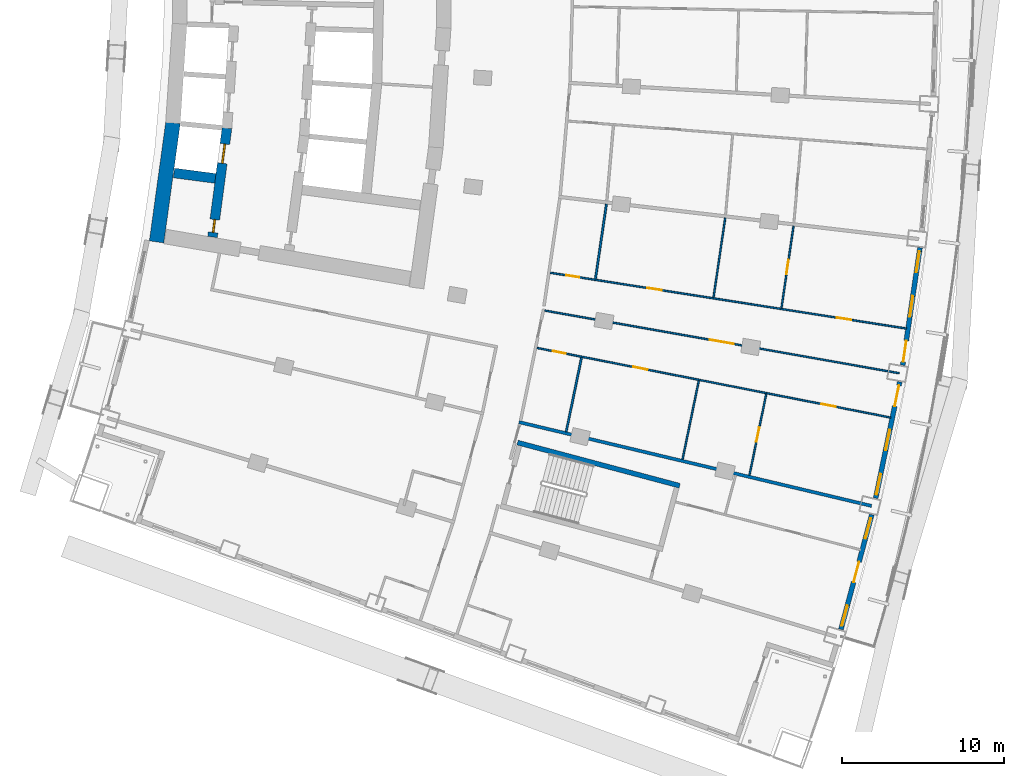
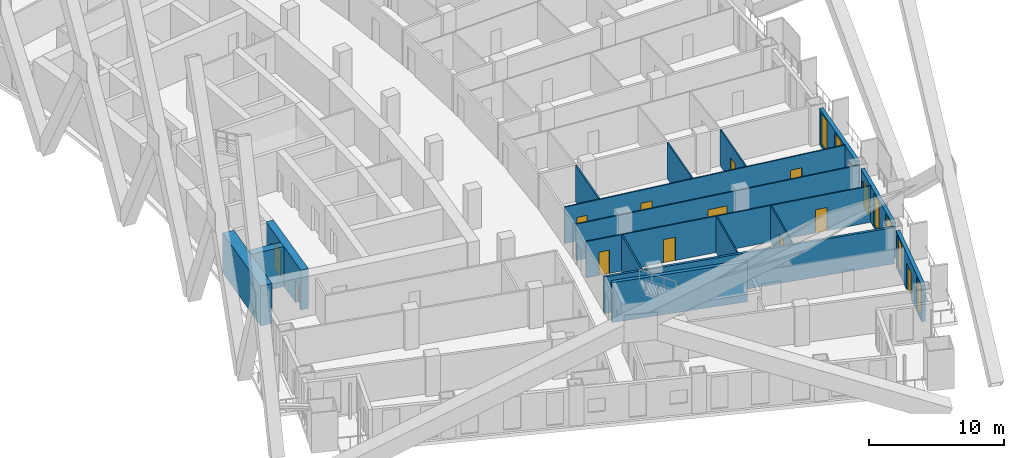
# One storey, part 15 of 25: 17 walls, 14 doors, 6 windows, 20 openings.
"""IFC4 building model written with IfcOpenShell, lengths in metres."""

from ifc_helpers import new_model, si_unit, direction, frame, frame_2d, origin, place, context, subcontext, project, spatial, rectangle, extrude, material, layer, layer_set, type_object, element, fill, save


model = new_model("IFC4")

# Units and contexts
model_context = context("Model", 3, precision=1e-05, world=origin(), true_north=direction((0.0, 1.0)))
body_context = subcontext(model_context, "Body", "Model", "MODEL_VIEW")
ifc_project = project(units=[si_unit("LENGTHUNIT", "METRE"), si_unit("AREAUNIT", "SQUARE_METRE"), si_unit("VOLUMEUNIT", "CUBIC_METRE"), si_unit("PLANEANGLEUNIT", "RADIAN"), si_unit("MASSUNIT", "GRAM", prefix="KILO")], contexts=[model_context])

# Site, building, storey
site_placement = place(None, origin())
site = spatial("IfcSite", under=ifc_project, at=site_placement, CompositionType="ELEMENT")
building_placement = place(site_placement, origin())
building = spatial("IfcBuilding", under=site, at=building_placement, Name="Alderwake Tower", CompositionType="ELEMENT")
storey_placement = place(building_placement, frame((0.0, 0.0, 32.0)))
storey = spatial("IfcBuildingStorey", under=building, at=storey_placement, Name="L06", CompositionType="ELEMENT", Elevation=32.0)

# Wall
ifc_material_1 = material(Name="Concrete C70/85", Category="concrete")
ifc_layer_1 = layer(ifc_material_1, 0.89990234375)
ifc_layer_set_1 = layer_set([ifc_layer_1], Name="Core wall outer 900 C70-85")
wall_type_1 = type_object("IfcWallType", Name="Core wall outer 900 C70-85", PredefinedType="SHEAR", material=ifc_layer_set_1)
wall_1_placement = place(storey_placement, frame((15.46923828125, 44.1201171875, 0.0), z_axis=(0.0, 0.0, 1.0), x_axis=(0.136337234661, 0.990662484626, 0.0)))
element("IfcWall", 1, at=wall_1_placement, inside=storey, type_object=wall_type_1, Name="Core wall CW.042", PredefinedType="SHEAR", context=body_context, shape_type="SweptSolid", body=[
    extrude(rectangle(XDim=7.431396484375, YDim=0.89990234375, at=frame_2d((3.7158203125, 0.0))), origin(), (0.0, 0.0, 1.0), 3.60009765625),
])

# Wall, openings, doors
ifc_material_2 = material(Name="Concrete C70/85", Category="concrete")
ifc_layer_2 = layer(ifc_material_2, 0.60009765625)
ifc_layer_set_2 = layer_set([ifc_layer_2], Name="Core wall spine 600 C70-85")
wall_type_2 = type_object("IfcWallType", Name="Core wall spine 600 C70-85", PredefinedType="SHEAR", material=ifc_layer_set_2)
wall_2_placement = place(storey_placement, frame((19.815185546875, 51.14697265625, 0.0), z_axis=(0.0, 0.0, 1.0), x_axis=(-0.131854836214, -0.991269036219, 0.0)))
wall_2 = element("IfcWall", 2, at=wall_2_placement, inside=storey, type_object=wall_type_2, Name="Core wall CW.033", PredefinedType="SHEAR", context=body_context, shape_type="SweptSolid", body=[
    extrude(rectangle(XDim=6.782470703125, YDim=0.60009765625, at=frame_2d((3.39111328125, 0.0))), origin(), (0.0, 0.0, 1.0), 3.60009765625),
])
opening_1_placement = place(wall_2_placement, frame((0.9921875, 0.0, 0.0)))
opening_1 = element("IfcOpeningElement", 3, at=opening_1_placement, cuts=wall_2, Name="Opening LD-LP1", PredefinedType="OPENING", context=body_context, shape_type="SweptSolid", body=[
    extrude(rectangle(XDim=1.199951171875, YDim=2.300048828125, at=frame_2d((0.60009765625, 1.14990234375))), frame((0.0, 0.31005859375, 0.0), z_axis=(0.0, -1.0, 0.0), x_axis=(1.0, 0.0, 0.0)), (0.0, 0.0, 1.0), 0.6201171875),
])
opening_2_placement = place(wall_2_placement, frame((5.699951171875, 0.0, 0.0)))
opening_2 = element("IfcOpeningElement", 4, at=opening_2_placement, cuts=wall_2, Name="Opening C007", PredefinedType="OPENING", context=body_context, shape_type="SweptSolid", body=[
    extrude(rectangle(XDim=0.800048828125, YDim=2.0, at=frame_2d((0.39990234375, 1.0))), frame((0.0, 0.31005859375, 0.0), z_axis=(0.0, -1.0, 0.0), x_axis=(1.0, 0.0, 0.0)), (0.0, 0.0, 1.0), 0.6201171875),
])
ifc_material_3 = material(Name="Stainless steel sliding leaf", Category="steel")
door_type_1 = type_object("IfcDoorType", Name="Lift landing door 1200", OperationType="SLIDING_TO_LEFT", PredefinedType="DOOR", material=ifc_material_3)
door_1_placement = place(opening_1_placement, origin())
door_1 = element("IfcDoor", 5, at=door_1_placement, inside=storey, type_object=door_type_1, Name="Lift landing door LP1", OperationType="SLIDING_TO_LEFT", OverallHeight=2.300048828125, OverallWidth=1.199951171875, PredefinedType="DOOR", context=body_context, shape_type="SweptSolid", body=[
    extrude(rectangle(XDim=1.199951171875, YDim=2.300048828125, at=frame_2d((0.60009765625, 1.14990234375))), frame((0.0, 0.050048828125, 0.0), z_axis=(0.0, -1.0, 0.0), x_axis=(1.0, 0.0, 0.0)), (0.0, 0.0, 1.0), 0.10009765625),
])
fill(opening_1, door_1)
ifc_material_4 = material(Name="Painted steel leaf, rated", Category="steel")
door_type_2 = type_object("IfcDoorType", Name="Riser access door 800", OperationType="SINGLE_SWING_LEFT", PredefinedType="DOOR", material=ifc_material_4)
door_2_placement = place(opening_2_placement, origin())
door_2 = element("IfcDoor", 6, at=door_2_placement, inside=storey, type_object=door_type_2, Name="Riser access door", OperationType="SINGLE_SWING_LEFT", OverallHeight=2.0, OverallWidth=0.800048828125, PredefinedType="DOOR", context=body_context, shape_type="SweptSolid", body=[
    extrude(rectangle(XDim=0.800048828125, YDim=2.0, at=frame_2d((0.39990234375, 1.0))), frame((0.0, 0.050048828125, 0.0), z_axis=(0.0, -1.0, 0.0), x_axis=(1.0, 0.0, 0.0)), (0.0, 0.0, 1.0), 0.10009765625),
])
fill(opening_2, door_2)

# Walls
wall_3_placement = place(storey_placement, frame((16.5390625, 48.373291015625, 0.0), z_axis=(0.0, 0.0, 1.0), x_axis=(0.99156081818, -0.129642369037, 0.0)))
element("IfcWall", 7, at=wall_3_placement, inside=storey, type_object=wall_type_2, Name="Core wall CW.067", PredefinedType="SHEAR", context=body_context, shape_type="SweptSolid", body=[
    extrude(rectangle(XDim=2.581787109375, YDim=0.60009765625, at=frame_2d((1.291015625, 0.0))), origin(), (0.0, 0.0, 1.0), 3.60009765625),
])
ifc_material_5 = material(Name="Concrete C70/85", Category="concrete")
ifc_layer_3 = layer(ifc_material_5, 0.300048828125)
ifc_layer_set_3 = layer_set([ifc_layer_3], Name="Core wall stair enclosure 300 C70-85")
wall_type_3 = type_object("IfcWallType", Name="Core wall stair enclosure 300 C70-85", PredefinedType="SHEAR", material=ifc_layer_set_3)
wall_4_placement = place(storey_placement, frame((37.75390625, 31.731201171875, 0.0), z_axis=(0.0, 0.0, 1.0), x_axis=(0.966309214305, -0.257383958996, 0.0)))
element("IfcWall", 8, at=wall_4_placement, inside=storey, type_object=wall_type_3, Name="Core wall CW.086", PredefinedType="SHEAR", context=body_context, shape_type="SweptSolid", body=[
    extrude(rectangle(XDim=10.360107421875, YDim=0.300048828125, at=frame_2d((5.18017578125, 0.0))), origin(), (0.0, 0.0, 1.0), 3.60009765625),
])

# Wall, openings, door, windows
ifc_material_6 = material(Name="Precast concrete C50/60 spandrel panel", Category="concrete")
ifc_layer_4 = layer(ifc_material_6, 0.300048828125)
ifc_layer_set_4 = layer_set([ifc_layer_4], Name="External wall EW1 Precast concrete C50/60 spandrel")
wall_type_4 = type_object("IfcWallType", Name="External wall EW1 Precast concrete C50/60 spandrel", PredefinedType="SOLIDWALL", material=ifc_layer_set_4)
wall_5_placement = place(storey_placement, frame((57.71923828125, 20.2001953125, 0.0), z_axis=(0.0, 0.0, 1.0), x_axis=(0.259490825488, 0.965745572854, 0.0)))
wall_5 = element("IfcWall", 9, at=wall_5_placement, inside=storey, type_object=wall_type_4, Name="External wall 12", PredefinedType="SOLIDWALL", context=body_context, shape_type="SweptSolid", body=[
    extrude(rectangle(XDim=7.3291015625, YDim=0.300048828125, at=frame_2d((3.66455078125, 0.0))), origin(), (0.0, 0.0, 1.0), 3.280029296875),
])
opening_3_placement = place(wall_5_placement, frame((0.226806640625, 0.0, 0.199951171875)))
opening_3 = element("IfcOpeningElement", 10, at=opening_3_placement, cuts=wall_5, Name="Opening W1", PredefinedType="OPENING", context=body_context, shape_type="SweptSolid", body=[
    extrude(rectangle(XDim=1.300048828125, YDim=2.89990234375, at=frame_2d((0.64990234375, 1.449951171875))), frame((0.0, 0.159912109375, 0.0), z_axis=(0.0, -1.0, 0.0), x_axis=(1.0, 0.0, 0.0)), (0.0, 0.0, 1.0), 0.320068359375),
])
opening_4_placement = place(wall_5_placement, frame((3.0146484375, 0.0, 0.0)))
opening_4 = element("IfcOpeningElement", 11, at=opening_4_placement, cuts=wall_5, Name="Opening D03", PredefinedType="OPENING", context=body_context, shape_type="SweptSolid", body=[
    extrude(rectangle(XDim=1.300048828125, YDim=2.39990234375, at=frame_2d((0.64990234375, 1.199951171875))), frame((0.0, 0.159912109375, 0.0), z_axis=(0.0, -1.0, 0.0), x_axis=(1.0, 0.0, 0.0)), (0.0, 0.0, 1.0), 0.320068359375),
])
opening_5_placement = place(wall_5_placement, frame((5.802490234375, 0.0, 0.199951171875)))
opening_5 = element("IfcOpeningElement", 12, at=opening_5_placement, cuts=wall_5, Name="Opening W1", PredefinedType="OPENING", context=body_context, shape_type="SweptSolid", body=[
    extrude(rectangle(XDim=1.300048828125, YDim=2.89990234375, at=frame_2d((0.64990234375, 1.449951171875))), frame((0.0, 0.159912109375, 0.0), z_axis=(0.0, -1.0, 0.0), x_axis=(1.0, 0.0, 0.0)), (0.0, 0.0, 1.0), 0.320068359375),
])
ifc_material_7 = material(Name="Bronze tinted glass in aluminium frame", Category="aluminium")
door_type_3 = type_object("IfcDoorType", Name="Balcony door BD sliding", OperationType="SLIDING_TO_LEFT", PredefinedType="DOOR", material=ifc_material_7)
door_3_placement = place(opening_4_placement, origin())
door_3 = element("IfcDoor", 13, at=door_3_placement, inside=storey, type_object=door_type_3, Name="Door D03", OperationType="SLIDING_TO_LEFT", OverallHeight=2.39990234375, OverallWidth=1.300048828125, PredefinedType="DOOR", context=body_context, shape_type="SweptSolid", body=[
    extrude(rectangle(XDim=1.300048828125, YDim=2.39990234375, at=frame_2d((0.64990234375, 1.199951171875))), frame((0.0, 0.02490234375, 0.0), z_axis=(0.0, -1.0, 0.0), x_axis=(1.0, 0.0, 0.0)), (0.0, 0.0, 1.0), 0.050048828125),
])
fill(opening_4, door_3)
ifc_material_8 = material(Name="Bronze tinted glass in aluminium frame", Category="aluminium")
window_type = type_object("IfcWindowType", Name="Window W1 tall fixed and vent", PartitioningType="DOUBLE_PANEL_VERTICAL", PredefinedType="WINDOW", material=ifc_material_8)
window_1_placement = place(opening_3_placement, origin())
window_1 = element("IfcWindow", 14, at=window_1_placement, inside=storey, type_object=window_type, Name="Window W1 tall fixed and vent", OverallHeight=2.89990234375, OverallWidth=1.300048828125, PartitioningType="DOUBLE_PANEL_VERTICAL", PredefinedType="WINDOW", context=body_context, shape_type="SweptSolid", body=[
    extrude(rectangle(XDim=1.300048828125, YDim=2.89990234375, at=frame_2d((0.64990234375, 1.449951171875))), frame((0.0, 0.030029296875, 0.0), z_axis=(0.0, -1.0, 0.0), x_axis=(1.0, 0.0, 0.0)), (0.0, 0.0, 1.0), 0.06005859375),
])
fill(opening_3, window_1)
window_2_placement = place(opening_5_placement, origin())
window_2 = element("IfcWindow", 15, at=window_2_placement, inside=storey, type_object=window_type, Name="Window W1 tall fixed and vent", OverallHeight=2.89990234375, OverallWidth=1.300048828125, PartitioningType="DOUBLE_PANEL_VERTICAL", PredefinedType="WINDOW", context=body_context, shape_type="SweptSolid", body=[
    extrude(rectangle(XDim=1.300048828125, YDim=2.89990234375, at=frame_2d((0.64990234375, 1.449951171875))), frame((0.0, 0.030029296875, 0.0), z_axis=(0.0, -1.0, 0.0), x_axis=(1.0, 0.0, 0.0)), (0.0, 0.0, 1.0), 0.06005859375),
])
fill(opening_5, window_2)

wall_6_placement = place(storey_placement, frame((59.863525390625, 28.298583984375, 0.0), z_axis=(0.0, 0.0, 1.0), x_axis=(0.202760911141, 0.979228274159, 0.0)))
wall_6 = element("IfcWall", 16, at=wall_6_placement, inside=storey, type_object=wall_type_4, Name="External wall 13", PredefinedType="SOLIDWALL", context=body_context, shape_type="SweptSolid", body=[
    extrude(rectangle(XDim=7.329345703125, YDim=0.300048828125, at=frame_2d((3.66455078125, 0.0))), origin(), (0.0, 0.0, 1.0), 3.280029296875),
])
opening_6_placement = place(wall_6_placement, frame((0.226806640625, 0.0, 0.199951171875)))
opening_6 = element("IfcOpeningElement", 17, at=opening_6_placement, cuts=wall_6, Name="Opening W1", PredefinedType="OPENING", context=body_context, shape_type="SweptSolid", body=[
    extrude(rectangle(XDim=1.300048828125, YDim=2.89990234375, at=frame_2d((0.64990234375, 1.449951171875))), frame((0.0, 0.159912109375, 0.0), z_axis=(0.0, -1.0, 0.0), x_axis=(1.0, 0.0, 0.0)), (0.0, 0.0, 1.0), 0.320068359375),
])
opening_7_placement = place(wall_6_placement, frame((3.0146484375, 0.0, 0.199951171875)))
opening_7 = element("IfcOpeningElement", 18, at=opening_7_placement, cuts=wall_6, Name="Opening W1", PredefinedType="OPENING", context=body_context, shape_type="SweptSolid", body=[
    extrude(rectangle(XDim=1.300048828125, YDim=2.89990234375, at=frame_2d((0.64990234375, 1.449951171875))), frame((0.0, 0.159912109375, 0.0), z_axis=(0.0, -1.0, 0.0), x_axis=(1.0, 0.0, 0.0)), (0.0, 0.0, 1.0), 0.320068359375),
])
opening_8_placement = place(wall_6_placement, frame((5.802490234375, 0.0, 0.0)))
opening_8 = element("IfcOpeningElement", 19, at=opening_8_placement, cuts=wall_6, Name="Opening D04", PredefinedType="OPENING", context=body_context, shape_type="SweptSolid", body=[
    extrude(rectangle(XDim=1.300048828125, YDim=2.39990234375, at=frame_2d((0.64990234375, 1.199951171875))), frame((0.0, 0.159912109375, 0.0), z_axis=(0.0, -1.0, 0.0), x_axis=(1.0, 0.0, 0.0)), (0.0, 0.0, 1.0), 0.320068359375),
])
door_4_placement = place(opening_8_placement, origin())
door_4 = element("IfcDoor", 20, at=door_4_placement, inside=storey, type_object=door_type_3, Name="Door D04", OperationType="SLIDING_TO_LEFT", OverallHeight=2.39990234375, OverallWidth=1.300048828125, PredefinedType="DOOR", context=body_context, shape_type="SweptSolid", body=[
    extrude(rectangle(XDim=1.300048828125, YDim=2.39990234375, at=frame_2d((0.64990234375, 1.199951171875))), frame((0.0, 0.02490234375, 0.0), z_axis=(0.0, -1.0, 0.0), x_axis=(1.0, 0.0, 0.0)), (0.0, 0.0, 1.0), 0.050048828125),
])
fill(opening_8, door_4)
window_3_placement = place(opening_6_placement, origin())
window_3 = element("IfcWindow", 21, at=window_3_placement, inside=storey, type_object=window_type, Name="Window W1 tall fixed and vent", OverallHeight=2.89990234375, OverallWidth=1.300048828125, PartitioningType="DOUBLE_PANEL_VERTICAL", PredefinedType="WINDOW", context=body_context, shape_type="SweptSolid", body=[
    extrude(rectangle(XDim=1.300048828125, YDim=2.89990234375, at=frame_2d((0.64990234375, 1.449951171875))), frame((0.0, 0.030029296875, 0.0), z_axis=(0.0, -1.0, 0.0), x_axis=(1.0, 0.0, 0.0)), (0.0, 0.0, 1.0), 0.06005859375),
])
fill(opening_6, window_3)
window_4_placement = place(opening_7_placement, origin())
window_4 = element("IfcWindow", 22, at=window_4_placement, inside=storey, type_object=window_type, Name="Window W1 tall fixed and vent", OverallHeight=2.89990234375, OverallWidth=1.300048828125, PartitioningType="DOUBLE_PANEL_VERTICAL", PredefinedType="WINDOW", context=body_context, shape_type="SweptSolid", body=[
    extrude(rectangle(XDim=1.300048828125, YDim=2.89990234375, at=frame_2d((0.64990234375, 1.449951171875))), frame((0.0, 0.030029296875, 0.0), z_axis=(0.0, -1.0, 0.0), x_axis=(1.0, 0.0, 0.0)), (0.0, 0.0, 1.0), 0.06005859375),
])
fill(opening_7, window_4)

wall_7_placement = place(storey_placement, frame((61.5322265625, 36.50830078125, 0.0), z_axis=(0.0, 0.0, 1.0), x_axis=(0.145300273639, 0.989387603763, 0.0)))
wall_7 = element("IfcWall", 23, at=wall_7_placement, inside=storey, type_object=wall_type_4, Name="External wall 14", PredefinedType="SOLIDWALL", context=body_context, shape_type="SweptSolid", body=[
    extrude(rectangle(XDim=7.329345703125, YDim=0.300048828125, at=frame_2d((3.66455078125, 0.0))), origin(), (0.0, 0.0, 1.0), 3.280029296875),
])
opening_9_placement = place(wall_7_placement, frame((0.226806640625, 0.0, 0.0)))
opening_9 = element("IfcOpeningElement", 24, at=opening_9_placement, cuts=wall_7, Name="Opening D05", PredefinedType="OPENING", context=body_context, shape_type="SweptSolid", body=[
    extrude(rectangle(XDim=1.300048828125, YDim=2.39990234375, at=frame_2d((0.64990234375, 1.199951171875))), frame((0.0, 0.159912109375, 0.0), z_axis=(0.0, -1.0, 0.0), x_axis=(1.0, 0.0, 0.0)), (0.0, 0.0, 1.0), 0.320068359375),
])
opening_10_placement = place(wall_7_placement, frame((3.0146484375, 0.0, 0.199951171875)))
opening_10 = element("IfcOpeningElement", 25, at=opening_10_placement, cuts=wall_7, Name="Opening W1", PredefinedType="OPENING", context=body_context, shape_type="SweptSolid", body=[
    extrude(rectangle(XDim=1.300048828125, YDim=2.89990234375, at=frame_2d((0.64990234375, 1.449951171875))), frame((0.0, 0.159912109375, 0.0), z_axis=(0.0, -1.0, 0.0), x_axis=(1.0, 0.0, 0.0)), (0.0, 0.0, 1.0), 0.320068359375),
])
opening_11_placement = place(wall_7_placement, frame((5.802490234375, 0.0, 0.199951171875)))
opening_11 = element("IfcOpeningElement", 26, at=opening_11_placement, cuts=wall_7, Name="Opening W1", PredefinedType="OPENING", context=body_context, shape_type="SweptSolid", body=[
    extrude(rectangle(XDim=1.300048828125, YDim=2.89990234375, at=frame_2d((0.64990234375, 1.449951171875))), frame((0.0, 0.159912109375, 0.0), z_axis=(0.0, -1.0, 0.0), x_axis=(1.0, 0.0, 0.0)), (0.0, 0.0, 1.0), 0.320068359375),
])
door_5_placement = place(opening_9_placement, origin())
door_5 = element("IfcDoor", 27, at=door_5_placement, inside=storey, type_object=door_type_3, Name="Door D05", OperationType="SLIDING_TO_LEFT", OverallHeight=2.39990234375, OverallWidth=1.300048828125, PredefinedType="DOOR", context=body_context, shape_type="SweptSolid", body=[
    extrude(rectangle(XDim=1.300048828125, YDim=2.39990234375, at=frame_2d((0.64990234375, 1.199951171875))), frame((0.0, 0.02490234375, 0.0), z_axis=(0.0, -1.0, 0.0), x_axis=(1.0, 0.0, 0.0)), (0.0, 0.0, 1.0), 0.050048828125),
])
fill(opening_9, door_5)
window_5_placement = place(opening_10_placement, origin())
window_5 = element("IfcWindow", 28, at=window_5_placement, inside=storey, type_object=window_type, Name="Window W1 tall fixed and vent", OverallHeight=2.89990234375, OverallWidth=1.300048828125, PartitioningType="DOUBLE_PANEL_VERTICAL", PredefinedType="WINDOW", context=body_context, shape_type="SweptSolid", body=[
    extrude(rectangle(XDim=1.300048828125, YDim=2.89990234375, at=frame_2d((0.64990234375, 1.449951171875))), frame((0.0, 0.030029296875, 0.0), z_axis=(0.0, -1.0, 0.0), x_axis=(1.0, 0.0, 0.0)), (0.0, 0.0, 1.0), 0.06005859375),
])
fill(opening_10, window_5)
window_6_placement = place(opening_11_placement, origin())
window_6 = element("IfcWindow", 29, at=window_6_placement, inside=storey, type_object=window_type, Name="Window W1 tall fixed and vent", OverallHeight=2.89990234375, OverallWidth=1.300048828125, PartitioningType="DOUBLE_PANEL_VERTICAL", PredefinedType="WINDOW", context=body_context, shape_type="SweptSolid", body=[
    extrude(rectangle(XDim=1.300048828125, YDim=2.89990234375, at=frame_2d((0.64990234375, 1.449951171875))), frame((0.0, 0.030029296875, 0.0), z_axis=(0.0, -1.0, 0.0), x_axis=(1.0, 0.0, 0.0)), (0.0, 0.0, 1.0), 0.06005859375),
])
fill(opening_11, window_6)

# Wall
ifc_material_9 = material(Name="Dense block masonry wall", Category="masonry")
ifc_layer_5 = layer(ifc_material_9, 0.199951171875)
ifc_layer_set_5 = layer_set([ifc_layer_5], Name="Party wall 200")
wall_type_5 = type_object("IfcWallType", Name="Party wall 200", PredefinedType="SOLIDWALL", material=ifc_layer_set_5)
wall_8_placement = place(storey_placement, frame((37.839111328125, 32.994384765625, 0.0), z_axis=(0.0, 0.0, 1.0), x_axis=(0.972889498583, -0.231270455413, 0.0)))
element("IfcWall", 30, at=wall_8_placement, inside=storey, type_object=wall_type_5, Name="WL/L06/W06", PredefinedType="SOLIDWALL", context=body_context, shape_type="SweptSolid", body=[
    extrude(rectangle(XDim=22.377685546875, YDim=0.199951171875, at=frame_2d((11.18896484375, 0.0))), origin(), (0.0, 0.0, 1.0), 3.280029296875),
])

# Wall, openings, doors
ifc_material_10 = material(Name="Gypsum board on metal studs")
ifc_layer_6 = layer(ifc_material_10, 0.10009765625)
ifc_layer_set_6 = layer_set([ifc_layer_6], Name="Unit partition 100")
wall_type_6 = type_object("IfcWallType", Name="Unit partition 100", PredefinedType="PARTITIONING", material=ifc_layer_set_6)
wall_9_placement = place(storey_placement, frame((60.7919921875, 33.27294921875, 0.0), z_axis=(0.0, 0.0, 1.0), x_axis=(-0.981155109333, 0.193221767482, 0.0)))
wall_9 = element("IfcWall", 31, at=wall_9_placement, inside=storey, type_object=wall_type_6, Name="WL/L06/W66", PredefinedType="PARTITIONING", context=body_context, shape_type="SweptSolid", body=[
    extrude(rectangle(XDim=22.261962890625, YDim=0.10009765625, at=frame_2d((11.130859375, 0.0))), origin(), (0.0, 0.0, 1.0), 3.280029296875),
])
opening_12_placement = place(wall_9_placement, frame((15.302978515625, 0.0, 0.0)))
opening_12 = element("IfcOpeningElement", 32, at=opening_12_placement, cuts=wall_9, Name="Opening R01-U05.1", PredefinedType="OPENING", context=body_context, shape_type="SweptSolid", body=[
    extrude(rectangle(XDim=0.89990234375, YDim=2.10009765625, at=frame_2d((0.449951171875, 1.050048828125))), frame((0.0, 0.06005859375, 0.0), z_axis=(0.0, -1.0, 0.0), x_axis=(1.0, 0.0, 0.0)), (0.0, 0.0, 1.0), 0.1201171875),
])
opening_13_placement = place(wall_9_placement, frame((20.45263671875, 0.0, 0.0)))
opening_13 = element("IfcOpeningElement", 33, at=opening_13_placement, cuts=wall_9, Name="Opening R01-U05.4", PredefinedType="OPENING", context=body_context, shape_type="SweptSolid", body=[
    extrude(rectangle(XDim=0.800048828125, YDim=2.10009765625, at=frame_2d((0.39990234375, 1.050048828125))), frame((0.0, 0.06005859375, 0.0), z_axis=(0.0, -1.0, 0.0), x_axis=(1.0, 0.0, 0.0)), (0.0, 0.0, 1.0), 0.1201171875),
])
opening_14_placement = place(wall_9_placement, frame((3.459716796875, 0.0, 0.0)))
opening_14 = element("IfcOpeningElement", 34, at=opening_14_placement, cuts=wall_9, Name="Opening R01-U05.5", PredefinedType="OPENING", context=body_context, shape_type="SweptSolid", body=[
    extrude(rectangle(XDim=0.89990234375, YDim=2.10009765625, at=frame_2d((0.449951171875, 1.050048828125))), frame((0.0, 0.06005859375, 0.0), z_axis=(0.0, -1.0, 0.0), x_axis=(1.0, 0.0, 0.0)), (0.0, 0.0, 1.0), 0.1201171875),
])
ifc_material_11 = material(Name="Painted timber leaf", Category="wood")
door_type_4 = type_object("IfcDoorType", Name="Bathroom door 800", OperationType="SINGLE_SWING_LEFT", PredefinedType="DOOR", material=ifc_material_11)
door_6_placement = place(opening_13_placement, origin())
door_6 = element("IfcDoor", 35, at=door_6_placement, inside=storey, type_object=door_type_4, Name="DR/L06/U05.4", OperationType="SINGLE_SWING_LEFT", OverallHeight=2.10009765625, OverallWidth=0.800048828125, PredefinedType="DOOR", context=body_context, shape_type="SweptSolid", body=[
    extrude(rectangle(XDim=0.800048828125, YDim=2.10009765625, at=frame_2d((0.39990234375, 1.050048828125))), frame((0.0, 0.02490234375, 0.0), z_axis=(0.0, -1.0, 0.0), x_axis=(1.0, 0.0, 0.0)), (0.0, 0.0, 1.0), 0.050048828125),
])
fill(opening_13, door_6)
ifc_material_12 = material(Name="Painted timber leaf", Category="wood")
door_type_5 = type_object("IfcDoorType", Name="Room door 900", OperationType="SINGLE_SWING_LEFT", PredefinedType="DOOR", material=ifc_material_12)
door_7_placement = place(opening_12_placement, origin())
door_7 = element("IfcDoor", 36, at=door_7_placement, inside=storey, type_object=door_type_5, Name="DR/L06/U05.1", OperationType="SINGLE_SWING_LEFT", OverallHeight=2.10009765625, OverallWidth=0.89990234375, PredefinedType="DOOR", context=body_context, shape_type="SweptSolid", body=[
    extrude(rectangle(XDim=0.89990234375, YDim=2.10009765625, at=frame_2d((0.449951171875, 1.050048828125))), frame((0.0, 0.02490234375, 0.0), z_axis=(0.0, -1.0, 0.0), x_axis=(1.0, 0.0, 0.0)), (0.0, 0.0, 1.0), 0.050048828125),
])
fill(opening_12, door_7)
door_8_placement = place(opening_14_placement, origin())
door_8 = element("IfcDoor", 37, at=door_8_placement, inside=storey, type_object=door_type_5, Name="DR/L06/U05.5", OperationType="SINGLE_SWING_LEFT", OverallHeight=2.10009765625, OverallWidth=0.89990234375, PredefinedType="DOOR", context=body_context, shape_type="SweptSolid", body=[
    extrude(rectangle(XDim=0.89990234375, YDim=2.10009765625, at=frame_2d((0.449951171875, 1.050048828125))), frame((0.0, 0.02490234375, 0.0), z_axis=(0.0, -1.0, 0.0), x_axis=(1.0, 0.0, 0.0)), (0.0, 0.0, 1.0), 0.050048828125),
])
fill(opening_14, door_8)

wall_10_placement = place(storey_placement, frame((39.76904296875, 42.215576171875, 0.0), z_axis=(0.0, 0.0, 1.0), x_axis=(0.987944564684, -0.154808065397, 0.0)))
wall_10 = element("IfcWall", 38, at=wall_10_placement, inside=storey, type_object=wall_type_6, Name="WL/L06/W67", PredefinedType="PARTITIONING", context=body_context, shape_type="SweptSolid", body=[
    extrude(rectangle(XDim=22.26318359375, YDim=0.10009765625, at=frame_2d((11.131591796875, 0.0))), origin(), (0.0, 0.0, 1.0), 3.280029296875),
])
opening_15_placement = place(wall_10_placement, frame((6.06005859375, 0.0, 0.0)))
opening_15 = element("IfcOpeningElement", 39, at=opening_15_placement, cuts=wall_10, Name="Opening R01-U05.6", PredefinedType="OPENING", context=body_context, shape_type="SweptSolid", body=[
    extrude(rectangle(XDim=0.89990234375, YDim=2.10009765625, at=frame_2d((0.449951171875, 1.050048828125))), frame((0.0, 0.06005859375, 0.0), z_axis=(0.0, -1.0, 0.0), x_axis=(1.0, 0.0, 0.0)), (0.0, 0.0, 1.0), 0.1201171875),
])
opening_16_placement = place(wall_10_placement, frame((1.010009765625, 0.0, 0.0)))
opening_16 = element("IfcOpeningElement", 40, at=opening_16_placement, cuts=wall_10, Name="Opening R01-U05.7", PredefinedType="OPENING", context=body_context, shape_type="SweptSolid", body=[
    extrude(rectangle(XDim=0.800048828125, YDim=2.10009765625, at=frame_2d((0.39990234375, 1.050048828125))), frame((0.0, 0.06005859375, 0.0), z_axis=(0.0, -1.0, 0.0), x_axis=(1.0, 0.0, 0.0)), (0.0, 0.0, 1.0), 0.1201171875),
])
opening_17_placement = place(wall_10_placement, frame((17.90380859375, 0.0, 0.0)))
opening_17 = element("IfcOpeningElement", 41, at=opening_17_placement, cuts=wall_10, Name="Opening R01-U05.8", PredefinedType="OPENING", context=body_context, shape_type="SweptSolid", body=[
    extrude(rectangle(XDim=0.89990234375, YDim=2.10009765625, at=frame_2d((0.449951171875, 1.050048828125))), frame((0.0, 0.06005859375, 0.0), z_axis=(0.0, -1.0, 0.0), x_axis=(1.0, 0.0, 0.0)), (0.0, 0.0, 1.0), 0.1201171875),
])
door_9_placement = place(opening_16_placement, origin())
door_9 = element("IfcDoor", 42, at=door_9_placement, inside=storey, type_object=door_type_4, Name="DR/L06/U05.7", OperationType="SINGLE_SWING_LEFT", OverallHeight=2.10009765625, OverallWidth=0.800048828125, PredefinedType="DOOR", context=body_context, shape_type="SweptSolid", body=[
    extrude(rectangle(XDim=0.800048828125, YDim=2.10009765625, at=frame_2d((0.39990234375, 1.050048828125))), frame((0.0, 0.02490234375, 0.0), z_axis=(0.0, -1.0, 0.0), x_axis=(1.0, 0.0, 0.0)), (0.0, 0.0, 1.0), 0.050048828125),
])
fill(opening_16, door_9)
door_10_placement = place(opening_15_placement, origin())
door_10 = element("IfcDoor", 43, at=door_10_placement, inside=storey, type_object=door_type_5, Name="DR/L06/U05.6", OperationType="SINGLE_SWING_LEFT", OverallHeight=2.10009765625, OverallWidth=0.89990234375, PredefinedType="DOOR", context=body_context, shape_type="SweptSolid", body=[
    extrude(rectangle(XDim=0.89990234375, YDim=2.10009765625, at=frame_2d((0.449951171875, 1.050048828125))), frame((0.0, 0.02490234375, 0.0), z_axis=(0.0, -1.0, 0.0), x_axis=(1.0, 0.0, 0.0)), (0.0, 0.0, 1.0), 0.050048828125),
])
fill(opening_15, door_10)
door_11_placement = place(opening_17_placement, origin())
door_11 = element("IfcDoor", 44, at=door_11_placement, inside=storey, type_object=door_type_5, Name="DR/L06/U05.8", OperationType="SINGLE_SWING_LEFT", OverallHeight=2.10009765625, OverallWidth=0.89990234375, PredefinedType="DOOR", context=body_context, shape_type="SweptSolid", body=[
    extrude(rectangle(XDim=0.89990234375, YDim=2.10009765625, at=frame_2d((0.449951171875, 1.050048828125))), frame((0.0, 0.02490234375, 0.0), z_axis=(0.0, -1.0, 0.0), x_axis=(1.0, 0.0, 0.0)), (0.0, 0.0, 1.0), 0.050048828125),
])
fill(opening_17, door_11)

# Walls
wall_11_placement = place(storey_placement, frame((47.939208984375, 30.695068359375, 0.0), z_axis=(0.0, 0.0, 1.0), x_axis=(0.203007352499, 0.97917721319, 0.0)))
element("IfcWall", 45, at=wall_11_placement, inside=storey, type_object=wall_type_6, Name="WL/L06/W76", PredefinedType="PARTITIONING", context=body_context, shape_type="SweptSolid", body=[
    extrude(rectangle(XDim=4.963134765625, YDim=0.10009765625, at=frame_2d((2.4814453125, 0.0))), origin(), (0.0, 0.0, 1.0), 3.280029296875),
])
wall_12_placement = place(storey_placement, frame((49.852294921875, 40.6875, 0.0), z_axis=(0.0, 0.0, 1.0), x_axis=(0.145532233549, 0.989353510631, 0.0)))
element("IfcWall", 46, at=wall_12_placement, inside=storey, type_object=wall_type_6, Name="WL/L06/W77", PredefinedType="PARTITIONING", context=body_context, shape_type="SweptSolid", body=[
    extrude(rectangle(XDim=4.962158203125, YDim=0.10009765625, at=frame_2d((2.48095703125, 0.0))), origin(), (0.0, 0.0, 1.0), 3.280029296875),
])

# Wall, opening, door
wall_13_placement = place(storey_placement, frame((52.0703125, 29.714111328125, 0.0), z_axis=(0.0, 0.0, 1.0), x_axis=(0.202885788295, 0.979202408549, 0.0)))
wall_13 = element("IfcWall", 47, at=wall_13_placement, inside=storey, type_object=wall_type_6, Name="WL/L06/W84", PredefinedType="PARTITIONING", context=body_context, shape_type="SweptSolid", body=[
    extrude(rectangle(XDim=5.128662109375, YDim=0.10009765625, at=frame_2d((2.564453125, 0.0))), origin(), (0.0, 0.0, 1.0), 3.280029296875),
])
opening_18_placement = place(wall_13_placement, frame((2.114501953125, 0.0, 0.0)))
opening_18 = element("IfcOpeningElement", 48, at=opening_18_placement, cuts=wall_13, Name="Opening R01-U05.2", PredefinedType="OPENING", context=body_context, shape_type="SweptSolid", body=[
    extrude(rectangle(XDim=0.89990234375, YDim=2.10009765625, at=frame_2d((0.449951171875, 1.050048828125))), frame((0.0, 0.06005859375, 0.0), z_axis=(0.0, -1.0, 0.0), x_axis=(1.0, 0.0, 0.0)), (0.0, 0.0, 1.0), 0.1201171875),
])
door_12_placement = place(opening_18_placement, origin())
door_12 = element("IfcDoor", 49, at=door_12_placement, inside=storey, type_object=door_type_5, Name="DR/L06/U05.2", OperationType="SINGLE_SWING_LEFT", OverallHeight=2.10009765625, OverallWidth=0.89990234375, PredefinedType="DOOR", context=body_context, shape_type="SweptSolid", body=[
    extrude(rectangle(XDim=0.89990234375, YDim=2.10009765625, at=frame_2d((0.449951171875, 1.050048828125))), frame((0.0, 0.02490234375, 0.0), z_axis=(0.0, -1.0, 0.0), x_axis=(1.0, 0.0, 0.0)), (0.0, 0.0, 1.0), 0.050048828125),
])
fill(opening_18, door_12)

wall_14_placement = place(storey_placement, frame((54.04638671875, 40.027587890625, 0.0), z_axis=(0.0, 0.0, 1.0), x_axis=(0.145465212864, 0.989363366942, 0.0)))
wall_14 = element("IfcWall", 50, at=wall_14_placement, inside=storey, type_object=wall_type_6, Name="WL/L06/W85", PredefinedType="PARTITIONING", context=body_context, shape_type="SweptSolid", body=[
    extrude(rectangle(XDim=5.12890625, YDim=0.10009765625, at=frame_2d((2.564453125, 0.0))), origin(), (0.0, 0.0, 1.0), 3.280029296875),
])
opening_19_placement = place(wall_14_placement, frame((2.114501953125, 0.0, 0.0)))
opening_19 = element("IfcOpeningElement", 51, at=opening_19_placement, cuts=wall_14, Name="Opening R01-U05.9", PredefinedType="OPENING", context=body_context, shape_type="SweptSolid", body=[
    extrude(rectangle(XDim=0.89990234375, YDim=2.10009765625, at=frame_2d((0.449951171875, 1.050048828125))), frame((0.0, 0.06005859375, 0.0), z_axis=(0.0, -1.0, 0.0), x_axis=(1.0, 0.0, 0.0)), (0.0, 0.0, 1.0), 0.1201171875),
])
door_13_placement = place(opening_19_placement, origin())
door_13 = element("IfcDoor", 52, at=door_13_placement, inside=storey, type_object=door_type_5, Name="DR/L06/U05.9", OperationType="SINGLE_SWING_LEFT", OverallHeight=2.10009765625, OverallWidth=0.89990234375, PredefinedType="DOOR", context=body_context, shape_type="SweptSolid", body=[
    extrude(rectangle(XDim=0.89990234375, YDim=2.10009765625, at=frame_2d((0.449951171875, 1.050048828125))), frame((0.0, 0.02490234375, 0.0), z_axis=(0.0, -1.0, 0.0), x_axis=(1.0, 0.0, 0.0)), (0.0, 0.0, 1.0), 0.050048828125),
])
fill(opening_19, door_13)

wall_15_placement = place(storey_placement, frame((39.4267578125, 39.883056640625, 0.0), z_axis=(0.0, 0.0, 1.0), x_axis=(0.984731528724, -0.174079913653, 0.0)))
wall_15 = element("IfcWall", 53, at=wall_15_placement, inside=storey, type_object=wall_type_6, Name="WL/L06/W91", PredefinedType="PARTITIONING", context=body_context, shape_type="SweptSolid", body=[
    extrude(rectangle(XDim=22.220703125, YDim=0.10009765625, at=frame_2d((11.1103515625, 0.0))), origin(), (0.0, 0.0, 1.0), 3.280029296875),
])
opening_20_placement = place(wall_15_placement, frame((10.360107421875, 0.0, 0.0)))
opening_20 = element("IfcOpeningElement", 54, at=opening_20_placement, cuts=wall_15, Name="Opening R01-U05.10", PredefinedType="OPENING", context=body_context, shape_type="SweptSolid", body=[
    extrude(rectangle(XDim=1.5, YDim=2.10009765625, at=frame_2d((0.75, 1.050048828125))), frame((0.0, 0.06005859375, 0.0), z_axis=(0.0, -1.0, 0.0), x_axis=(1.0, 0.0, 0.0)), (0.0, 0.0, 1.0), 0.1201171875),
])
ifc_material_13 = material(Name="Painted timber leaves", Category="wood")
door_type_6 = type_object("IfcDoorType", Name="Double leaf door 1500", OperationType="DOUBLE_DOOR_SINGLE_SWING", PredefinedType="DOOR", material=ifc_material_13)
door_14_placement = place(opening_20_placement, origin())
door_14 = element("IfcDoor", 55, at=door_14_placement, inside=storey, type_object=door_type_6, Name="DR/L06/U05.10", OperationType="DOUBLE_DOOR_SINGLE_SWING", OverallHeight=2.10009765625, OverallWidth=1.5, PredefinedType="DOOR", context=body_context, shape_type="SweptSolid", body=[
    extrude(rectangle(XDim=1.5, YDim=2.10009765625, at=frame_2d((0.75, 1.050048828125))), frame((0.0, 0.02490234375, 0.0), z_axis=(0.0, -1.0, 0.0), x_axis=(1.0, 0.0, 0.0)), (0.0, 0.0, 1.0), 0.050048828125),
])
fill(opening_20, door_14)

# Walls
ifc_material_14 = material(Name="Moisture resistant gypsum board on metal studs")
ifc_layer_7 = layer(ifc_material_14, 0.1201171875)
ifc_layer_set_7 = layer_set([ifc_layer_7], Name="Wet room partition 120")
wall_type_7 = type_object("IfcWallType", Name="Wet room partition 120", PredefinedType="PARTITIONING", material=ifc_layer_set_7)
wall_16_placement = place(storey_placement, frame((40.75732421875, 32.402099609375, 0.0), z_axis=(0.0, 0.0, 1.0), x_axis=(0.202555554597, 0.97927077323, 0.0)))
element("IfcWall", 56, at=wall_16_placement, inside=storey, type_object=wall_type_7, Name="WL/L06/W56", PredefinedType="PARTITIONING", context=body_context, shape_type="SweptSolid", body=[
    extrude(rectangle(XDim=4.677734375, YDim=0.1201171875, at=frame_2d((2.3388671875, 0.0))), origin(), (0.0, 0.0, 1.0), 3.280029296875),
])
wall_17_placement = place(storey_placement, frame((42.562255859375, 41.83056640625, 0.0), z_axis=(0.0, 0.0, 1.0), x_axis=(0.145515042, 0.989356039326, 0.0)))
element("IfcWall", 57, at=wall_17_placement, inside=storey, type_object=wall_type_7, Name="WL/L06/W57", PredefinedType="PARTITIONING", context=body_context, shape_type="SweptSolid", body=[
    extrude(rectangle(XDim=4.67431640625, YDim=0.1201171875, at=frame_2d((2.337158203125, 0.0))), origin(), (0.0, 0.0, 1.0), 3.280029296875),
])

save(model, "model.ifc")
